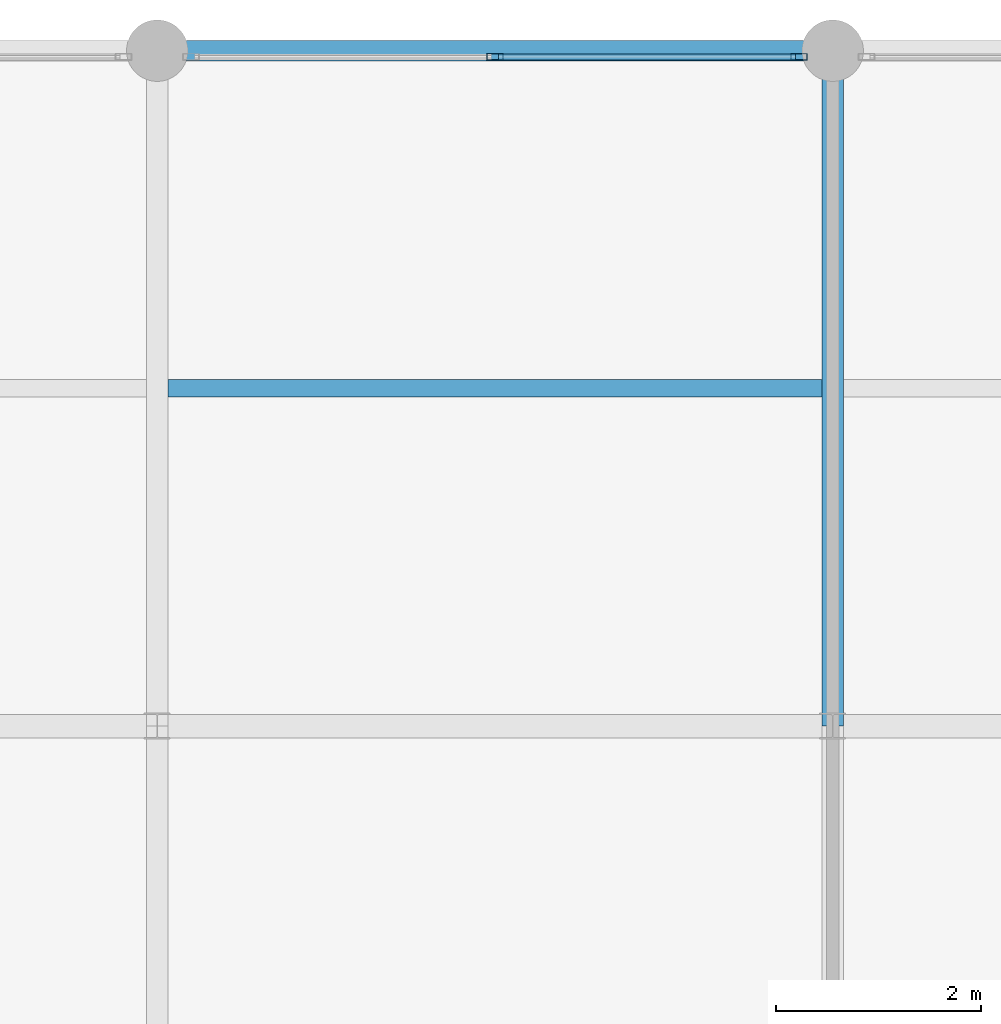
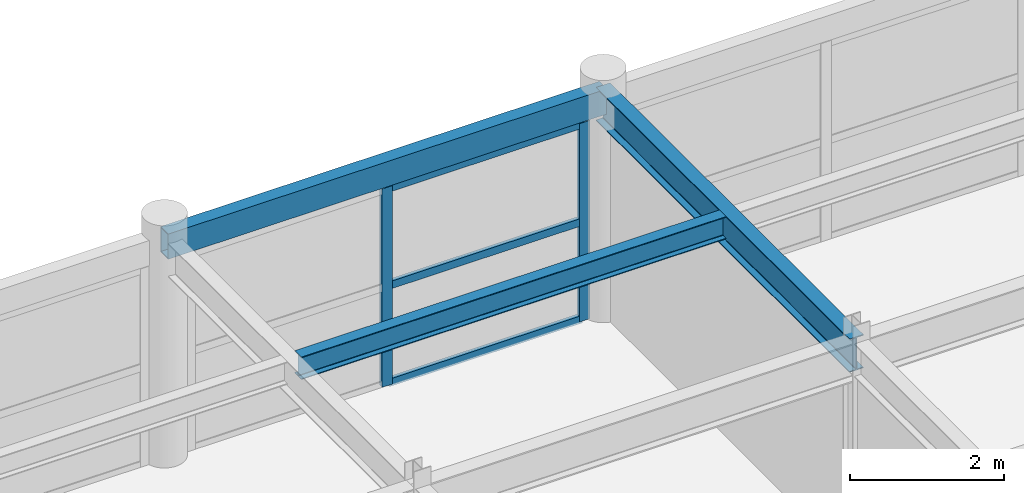
# One storey, part 6 of 17: 5 members, 3 beams, 1 element without a shape of its own.
"""IFC4 building model written with IfcOpenShell, lengths in metres."""

import ifcopenshell
import ifcopenshell.guid

model = None  # the IFC model being written
_history = None  # IfcOwnerHistory: only IFC2X3 demands one
_inside = {}  # id of a spatial element -> (the spatial element, [elements in it])
_under = {}  # id of a project, library or spatial element -> (it, [spatial elements below it])
_declared = {}  # id of a project -> (the project, [libraries it declares])
_typed = {}  # id of a type object -> (the type object, [elements of that type])
_made_of = {}  # id of a material, layer set ... -> (it, [elements and type objects made of it])


def new_model(schema):
    """Start an empty IFC model of exactly this schema.

    Asked for "IFC4X3", IfcOpenShell would pick the latest addendum, in which some entities
    have other attributes; the version numbers below select the first issue.
    IFC2X3 requires an IfcOwnerHistory on every rooted entity: one is made here for all.
    """
    global model, _history
    if schema == "IFC4X3":
        model = ifcopenshell.file(schema_version=(4, 3, 0, 0))
    else:
        model = ifcopenshell.file(schema=schema)
    _inside.clear()
    _under.clear()
    _declared.clear()
    _typed.clear()
    _made_of.clear()
    _history = None
    if model.schema == "IFC2X3":
        org = make("IfcOrganization", Name="unknown")
        user = make(
            "IfcPersonAndOrganization",
            ThePerson=make("IfcPerson", FamilyName="unknown"),
            TheOrganization=org,
        )
        app = make(
            "IfcApplication",
            ApplicationDeveloper=org,
            Version="unknown",
            ApplicationFullName="unknown",
            ApplicationIdentifier="unknown",
        )
        _history = make(
            "IfcOwnerHistory",
            OwningUser=user,
            OwningApplication=app,
            ChangeAction="ADDED",
            CreationDate=0,
        )
    return model


def make(cls, **values):
    """One entity of the class cls with the attributes given. An attribute that is None is left unset."""
    return model.create_entity(
        cls, **{name: value for name, value in values.items() if value is not None}
    )


def rooted(cls, **values):
    """An entity with a GlobalId (a new one), such as an element, a storey or a relation."""
    return make(cls, GlobalId=ifcopenshell.guid.new(), OwnerHistory=_history, **values)


def si_unit(unit_type, name, prefix=None):
    """IfcSIUnit, for example si_unit("LENGTHUNIT", "METRE", prefix="MILLI")."""
    return make("IfcSIUnit", UnitType=unit_type, Prefix=prefix, Name=name)


def assignment(units):
    """IfcUnitAssignment: the units of a project."""
    return None if units is None else make("IfcUnitAssignment", Units=units)


def point(xyz):
    """IfcCartesianPoint."""
    return None if xyz is None else make("IfcCartesianPoint", Coordinates=xyz)


def direction(xyz):
    """IfcDirection."""
    return None if xyz is None else make("IfcDirection", DirectionRatios=xyz)


def frame(location, z_axis=None, x_axis=None):
    """IfcAxis2Placement3D, a coordinate frame: its origin and axes. An axis left out is left unset."""
    return make(
        "IfcAxis2Placement3D",
        Location=point(location),
        Axis=direction(z_axis),
        RefDirection=direction(x_axis),
    )


def frame_2d(location, x_axis=None):
    """IfcAxis2Placement2D, a coordinate frame in the plane: its origin and x axis."""
    return make(
        "IfcAxis2Placement2D", Location=point(location), RefDirection=direction(x_axis)
    )


def origin():
    """The frame at (0, 0, 0) with its axes left unset."""
    return frame((0.0, 0.0, 0.0))


def origin_2d():
    """The frame at (0, 0) in the plane with its x axis left unset."""
    return frame_2d((0.0, 0.0))


def place(relative_to, where):
    """IfcLocalPlacement: puts the frame where relative to a parent placement (None: the world)."""
    return make(
        "IfcLocalPlacement", PlacementRelTo=relative_to, RelativePlacement=where
    )


def context(
    kind, dimensions, precision=None, world=None, true_north=None, identifier=None
):
    """IfcGeometricRepresentationContext, for example the 3D "Model" context."""
    return make(
        "IfcGeometricRepresentationContext",
        ContextIdentifier=identifier,
        ContextType=kind,
        CoordinateSpaceDimension=dimensions,
        Precision=precision,
        WorldCoordinateSystem=world,
        TrueNorth=true_north,
    )


def subcontext(parent, identifier, kind, view, scale=None):
    """IfcGeometricRepresentationSubContext, for example "Body" below "Model"."""
    return make(
        "IfcGeometricRepresentationSubContext",
        ContextIdentifier=identifier,
        ContextType=kind,
        ParentContext=parent,
        TargetScale=scale,
        TargetView=view,
    )


def project(units=None, contexts=None):
    """IfcProject with its units and contexts."""
    return rooted(
        "IfcProject",
        Name="project",
        RepresentationContexts=contexts,
        UnitsInContext=assignment(units),
    )


def spatial(cls, under=None, at=None, **own):
    """A site, building, storey or space (cls), placed at a placement, below another one or the project."""
    s = rooted(cls, ObjectPlacement=at, **own)
    if under is not None:
        _under.setdefault(under.id(), (under, []))[1].append(s)
    return s


def profile(cls, at=None, kind="AREA", **sizes):
    """A parametric profile (cls). Its sizes go by their IFC names, for example OverallWidth=200.0."""
    return make(cls, ProfileType=kind, Position=at, **sizes)


def hollow_rectangle(**sizes):
    """IfcRectangleHollowProfileDef."""
    return profile("IfcRectangleHollowProfileDef", **sizes)


def i_section(**sizes):
    """IfcIShapeProfileDef."""
    return profile("IfcIShapeProfileDef", **sizes)


def extrude(swept, where, along, depth):
    """IfcExtrudedAreaSolid: the profile swept, set in the frame where, extruded along a direction by depth."""
    return make(
        "IfcExtrudedAreaSolid",
        SweptArea=swept,
        Position=where,
        ExtrudedDirection=direction(along),
        Depth=depth,
    )


def shape(context_of_items, identifier, shape_type, items):
    """IfcShapeRepresentation: the items that make up one representation, for example the "Body"."""
    return make(
        "IfcShapeRepresentation",
        ContextOfItems=context_of_items,
        RepresentationIdentifier=identifier,
        RepresentationType=shape_type,
        Items=items,
    )


def material(Name=None, Category=None):
    """IfcMaterial."""
    return make("IfcMaterial", Name=Name, Category=Category)


def material_profile(
    of_material, cross_section, Name=None, Category=None, Priority=None
):
    """IfcMaterialProfile: a cross section and its material."""
    return make(
        "IfcMaterialProfile",
        Name=Name,
        Material=of_material,
        Profile=cross_section,
        Priority=Priority,
        Category=Category,
    )


def profile_set(profiles, Name=None, composite=None):
    """IfcMaterialProfileSet."""
    return make(
        "IfcMaterialProfileSet",
        Name=Name,
        MaterialProfiles=profiles,
        CompositeProfile=composite,
    )


def made_of(thing, what):
    """Note that an element or type object is made of a material, layer set ...; save() writes the relation."""
    if what is not None:
        _made_of.setdefault(what.id(), (what, []))[1].append(thing)
    return thing


def type_object(cls, material=None, **own):
    """A type object (cls), such as IfcWallType, which elements share."""
    return made_of(rooted(cls, **own), material)


def element(
    cls,
    number,
    at=None,
    inside=None,
    cuts=None,
    type_object=None,
    material=None,
    context=None,
    identifier="Body",
    shape_type=None,
    held_by="IfcProductDefinitionShape",
    body=None,
    shapes=None,
    **own,
):
    """One element of the class cls, such as IfcWall. Its Tag is "e" and its number.

    at: its placement. inside: the storey or other place that contains it. cuts: it is an
    opening in that element (IfcRelVoidsElement). A single representation is given by context,
    identifier, shape_type and body (its items); several are given by shapes. held_by: the class
    of the entity that holds the representations. save() writes the other relations.
    """
    e = rooted(cls, Tag="e%d" % number, ObjectPlacement=at, **own)
    if body is not None:
        shapes = [shape(context, identifier, shape_type, body)]
    if shapes is not None:
        e.Representation = make(held_by, Representations=shapes)
    if inside is not None:
        _inside.setdefault(inside.id(), (inside, []))[1].append(e)
    if cuts is not None:
        rooted(
            "IfcRelVoidsElement", RelatingBuildingElement=cuts, RelatedOpeningElement=e
        )
    if type_object is not None:
        _typed.setdefault(type_object.id(), (type_object, []))[1].append(e)
    return made_of(e, material)


def aggregate(whole, parts):
    """IfcRelAggregates: a whole, such as a stair, and the parts it consists of."""
    return rooted("IfcRelAggregates", RelatingObject=whole, RelatedObjects=parts)


def save(model, path):
    """Write the relations noted so far, then the file.

    IfcRelAggregates (storeys below a building ...), IfcRelContainedInSpatialStructure (elements
    in a storey), IfcRelDefinesByType, IfcRelAssociatesMaterial and IfcRelDeclares: one each for
    every whole, place, type object, material and project.
    """
    for whole, parts in _under.values():
        aggregate(whole, parts)
    for where, things in _inside.values():
        rooted(
            "IfcRelContainedInSpatialStructure",
            RelatedElements=things,
            RelatingStructure=where,
        )
    for kind, things in _typed.values():
        rooted("IfcRelDefinesByType", RelatedObjects=things, RelatingType=kind)
    for what, things in _made_of.values():
        rooted("IfcRelAssociatesMaterial", RelatedObjects=things, RelatingMaterial=what)
    for by, libraries in _declared.values():
        rooted("IfcRelDeclares", RelatingContext=by, RelatedDefinitions=libraries)
    model.write(path)


model = new_model("IFC4")

# Units and contexts
model_context = context("Model", 3, precision=1e-05, world=origin(), true_north=direction((0.0, 1.0)))
body_context = subcontext(model_context, "Body", "Model", "MODEL_VIEW")
ifc_project = project(units=[si_unit("LENGTHUNIT", "METRE"), si_unit("AREAUNIT", "SQUARE_METRE"), si_unit("VOLUMEUNIT", "CUBIC_METRE"), si_unit("PLANEANGLEUNIT", "RADIAN"), si_unit("MASSUNIT", "GRAM", prefix="KILO")], contexts=[model_context])

# Site, building, storey
site_placement = place(None, origin())
site = spatial("IfcSite", under=ifc_project, at=site_placement, CompositionType="ELEMENT")
building_placement = place(site_placement, origin())
building = spatial("IfcBuilding", under=site, at=building_placement, Name="Karori Crest Natural Sciences Institute", CompositionType="ELEMENT")
storey_placement = place(building_placement, frame((0.0, 0.0, 38.14990234375)))
storey = spatial("IfcBuildingStorey", under=building, at=storey_placement, Name="L09", CompositionType="ELEMENT", Elevation=38.14990234375)

# Beams
ifc_material_1 = material(Name="Structural steel AS/NZS 3679.1 Grade 350", Category="steel")
ifc_material_profile_1 = material_profile(ifc_material_1, i_section(OverallWidth=0.208984375, OverallDepth=0.532958984375, WebThickness=0.01025390625, FlangeThickness=0.015625, FilletRadius=0.013916015625, at=origin_2d()), Name="530UB92.4")
ifc_profile_set_1 = profile_set([ifc_material_profile_1], Name="Structural steel AS/NZS 3679.1 Grade 350")
beam_type_1 = type_object("IfcBeamType", Name="BT-05", PredefinedType="BEAM", material=ifc_profile_set_1)
beam_1_placement = place(storey_placement, frame((123.39990234375, 14.0, 3.3037109375), z_axis=(0.0, 1.0, 0.0), x_axis=(-1.0, 0.0, 0.0)))
element("IfcBeam", 1, at=beam_1_placement, inside=storey, type_object=beam_type_1, Name="Beam B-2799", PredefinedType="BEAM", context=body_context, shape_type="SweptSolid", body=[
    extrude(i_section(OverallWidth=0.208984375, OverallDepth=0.532958984375, WebThickness=0.01025390625, FlangeThickness=0.015625, FilletRadius=0.013916015625, at=origin_2d()), origin(), (0.0, 0.0, 1.0), 6.60009765625),
])
ifc_material_profile_2 = material_profile(ifc_material_1, i_section(OverallWidth=0.172119140625, OverallDepth=0.35888671875, WebThickness=0.008056640625, FlangeThickness=0.012939453125, FilletRadius=0.010986328125, at=origin_2d()), Name="360UB56.7")
ifc_profile_set_2 = profile_set([ifc_material_profile_2], Name="Structural steel AS/NZS 3679.1 Grade 350")
beam_type_2 = type_object("IfcBeamType", Name="BT-08", PredefinedType="BEAM", material=ifc_profile_set_2)
beam_2_placement = place(storey_placement, frame((116.904541015625, 17.300048828125, 3.390625), z_axis=(1.0, 0.0, 0.0), x_axis=(0.0, 1.0, 0.0)))
element("IfcBeam", 2, at=beam_2_placement, inside=storey, type_object=beam_type_2, Name="Beam B-2818", PredefinedType="BEAM", context=body_context, shape_type="SweptSolid", body=[
    extrude(i_section(OverallWidth=0.172119140625, OverallDepth=0.35888671875, WebThickness=0.008056640625, FlangeThickness=0.012939453125, FilletRadius=0.010986328125, at=origin_2d()), origin(), (0.0, 0.0, 1.0), 6.390869140625),
])
ifc_material_2 = material(Name="Hollow structural steel AS/NZS 1163 Grade C350", Category="steel")
ifc_material_profile_3 = material_profile(ifc_material_2, hollow_rectangle(XDim=0.199951171875, YDim=0.39990234375, WallThickness=0.012451171875, at=origin_2d()), Name="RHS400x200x12.5")
ifc_profile_set_3 = profile_set([ifc_material_profile_3], Name="Hollow structural steel AS/NZS 1163 Grade C350")
beam_type_3 = type_object("IfcBeamType", Name="BT-14", PredefinedType="SPANDREL", material=ifc_profile_set_3)
beam_3_placement = place(storey_placement, frame((116.800048828125, 20.60009765625, 3.3701171875), z_axis=(1.0, 0.0, 0.0), x_axis=(0.0, 1.0, 0.0)))
element("IfcBeam", 3, at=beam_3_placement, inside=storey, type_object=beam_type_3, Name="Beam B-2783", PredefinedType="SPANDREL", context=body_context, shape_type="SweptSolid", body=[
    extrude(hollow_rectangle(XDim=0.199951171875, YDim=0.39990234375, WallThickness=0.012451171875, at=origin_2d()), origin(), (0.0, 0.0, 1.0), 6.599853515625),
])

# Curtain wall, members
ifc_material_3 = material(Name="Anodised architectural aluminium 6063-T6", Category="aluminium")
curtain_wall_type = type_object("IfcCurtainWallType", Name="CWT-20", PredefinedType="NOTDEFINED", material=ifc_material_3)
curtain_wall_placement = place(storey_placement, origin())
curtain_wall = element("IfcCurtainWall", 4, at=curtain_wall_placement, inside=storey, type_object=curtain_wall_type, Name="Curtain wall CW-0374", PredefinedType="NOTDEFINED")
ifc_material_profile_4 = material_profile(ifc_material_3, hollow_rectangle(XDim=0.06494140625, YDim=0.159912109375, WallThickness=0.00390625, at=origin_2d()), Name="CWM160x65x4")
ifc_profile_set_4 = profile_set([ifc_material_profile_4], Name="Anodised architectural aluminium 6063-T6")
member_type_1 = type_object("IfcMemberType", Name="CWM-01", PredefinedType="MULLION", material=ifc_profile_set_4)
member_1_placement = place(storey_placement, frame((120.10009765625, 20.5400390625, 0.0), z_axis=(0.0, 0.0, 1.0), x_axis=(0.0, 1.0, 0.0)))
member_1 = element("IfcMember", 5, at=member_1_placement, type_object=member_type_1, Name="CW-0374 mullion 2", PredefinedType="MULLION", context=body_context, shape_type="SweptSolid", body=[
    extrude(hollow_rectangle(XDim=0.06494140625, YDim=0.159912109375, WallThickness=0.00390625, at=origin_2d()), origin(), (0.0, 0.0, 1.0), 3.155029296875),
])
member_2_placement = place(storey_placement, frame((123.069580078125, 20.5400390625, 0.0), z_axis=(0.0, 0.0, 1.0), x_axis=(0.0, 1.0, 0.0)))
member_2 = element("IfcMember", 6, at=member_2_placement, type_object=member_type_1, Name="CW-0374 mullion 3", PredefinedType="MULLION", context=body_context, shape_type="SweptSolid", body=[
    extrude(hollow_rectangle(XDim=0.06494140625, YDim=0.159912109375, WallThickness=0.00390625, at=origin_2d()), origin(), (0.0, 0.0, 1.0), 3.155029296875),
])
ifc_material_profile_5 = material_profile(ifc_material_3, hollow_rectangle(XDim=0.06005859375, YDim=0.1201171875, WallThickness=0.00390625, at=origin_2d()), Name="CWT120x60x4")
ifc_profile_set_5 = profile_set([ifc_material_profile_5], Name="Anodised architectural aluminium 6063-T6")
member_type_2 = type_object("IfcMemberType", Name="CWT-TR1", PredefinedType="USERDEFINED", material=ifc_profile_set_5)
member_3_placement = place(storey_placement, frame((120.132568359375, 20.5400390625, 0.030029296875), z_axis=(1.0, 0.0, 0.0), x_axis=(0.0, 1.0, 0.0)))
member_3 = element("IfcMember", 7, at=member_3_placement, type_object=member_type_2, Name="CW-0374 transom 2.1", ObjectType="TRANSOM", PredefinedType="USERDEFINED", context=body_context, shape_type="SweptSolid", body=[
    extrude(hollow_rectangle(XDim=0.06005859375, YDim=0.1201171875, WallThickness=0.00390625, at=origin_2d()), origin(), (0.0, 0.0, 1.0), 2.904541015625),
])
member_4_placement = place(storey_placement, frame((120.132568359375, 20.5400390625, 1.57763671875), z_axis=(1.0, 0.0, 0.0), x_axis=(0.0, 1.0, 0.0)))
member_4 = element("IfcMember", 8, at=member_4_placement, type_object=member_type_2, Name="CW-0374 transom 2.2", ObjectType="TRANSOM", PredefinedType="USERDEFINED", context=body_context, shape_type="SweptSolid", body=[
    extrude(hollow_rectangle(XDim=0.06005859375, YDim=0.1201171875, WallThickness=0.00390625, at=origin_2d()), origin(), (0.0, 0.0, 1.0), 2.904541015625),
])
member_5_placement = place(storey_placement, frame((120.132568359375, 20.5400390625, 3.125), z_axis=(1.0, 0.0, 0.0), x_axis=(0.0, 1.0, 0.0)))
member_5 = element("IfcMember", 9, at=member_5_placement, type_object=member_type_2, Name="CW-0374 transom 2.3", ObjectType="TRANSOM", PredefinedType="USERDEFINED", context=body_context, shape_type="SweptSolid", body=[
    extrude(hollow_rectangle(XDim=0.06005859375, YDim=0.1201171875, WallThickness=0.00390625, at=origin_2d()), origin(), (0.0, 0.0, 1.0), 2.904541015625),
])
aggregate(curtain_wall, [member_1, member_2, member_3, member_4, member_5])

save(model, "model.ifc")
